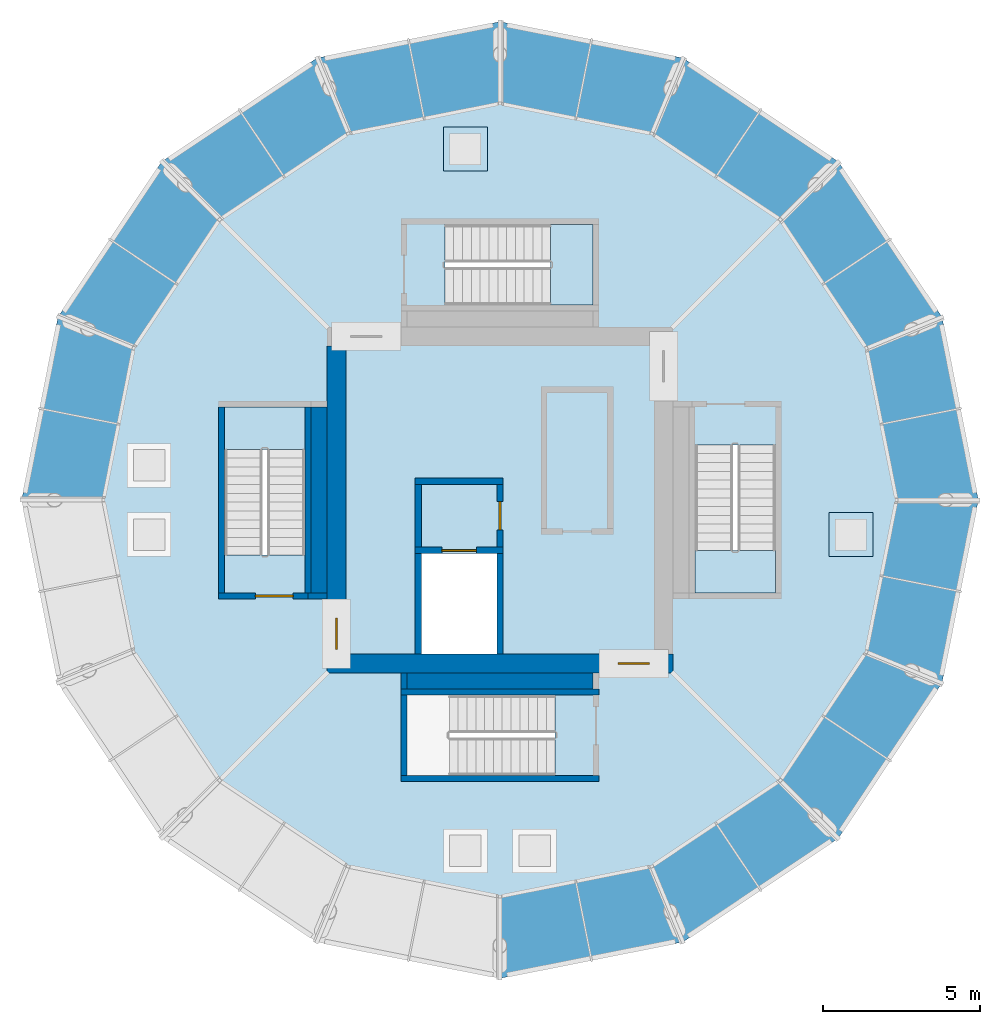
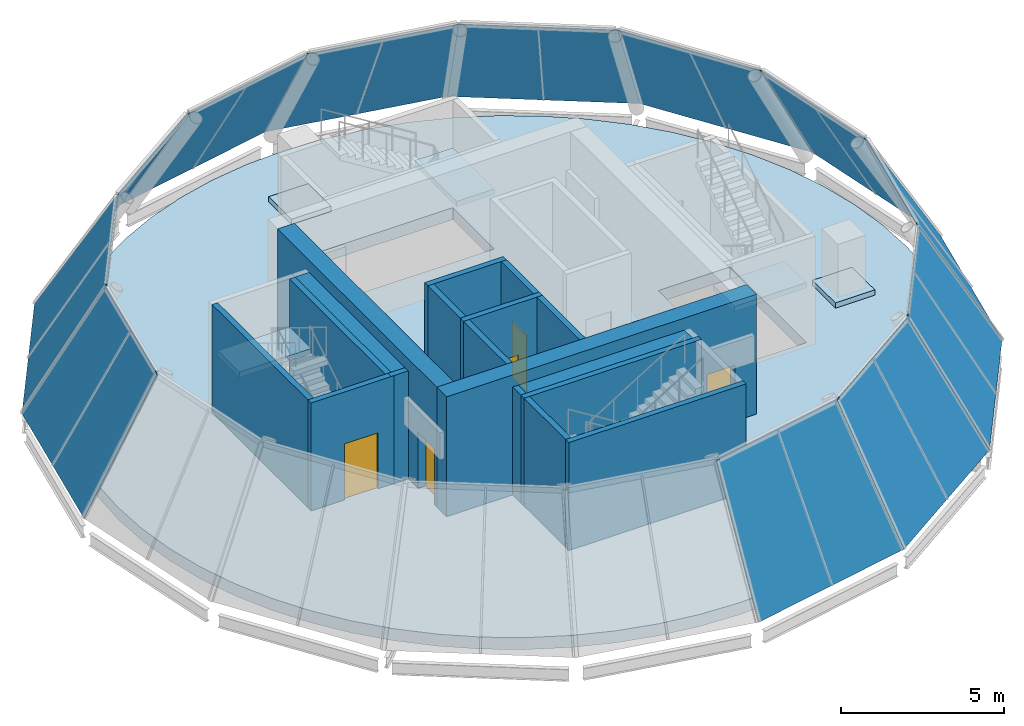
# One storey, part 3 of 6: 18 walls, 12 plates, 6 slabs, 5 doors, 5 openings, 15 elements without a shape of their own.
"""IFC4 building model written with IfcOpenShell, lengths in metres."""

from ifc_helpers import new_model, si_unit, direction, frame, frame_2d, origin, place, context, subcontext, project, spatial, polyline, rectangle, outline, extrude, material, layer, layer_set, type_object, element, fill, aggregate, save


model = new_model("IFC4")

# Units and contexts
model_context = context("Model", 3, precision=1e-05, world=origin(), true_north=direction((0.0, 1.0)))
body_context = subcontext(model_context, "Body", "Model", "MODEL_VIEW")
ifc_project = project(units=[si_unit("LENGTHUNIT", "METRE"), si_unit("AREAUNIT", "SQUARE_METRE"), si_unit("VOLUMEUNIT", "CUBIC_METRE"), si_unit("PLANEANGLEUNIT", "RADIAN"), si_unit("MASSUNIT", "GRAM", prefix="KILO")], contexts=[model_context])

# Site, building, storey
site_placement = place(None, origin())
site = spatial("IfcSite", under=ifc_project, at=site_placement, CompositionType="ELEMENT")
building_placement = place(site_placement, origin())
building = spatial("IfcBuilding", under=site, at=building_placement, Name="Corvane Civic Tower", CompositionType="ELEMENT")
storey_placement = place(building_placement, frame((0.0, 0.0, 397.5)))
storey = spatial("IfcBuildingStorey", under=building, at=storey_placement, Name="L94", CompositionType="ELEMENT", Elevation=397.5)

# Curtain wall, plate
ifc_material_1 = material(Name="Aluminium and glass", Category="aluminium")
curtain_wall_type = type_object("IfcCurtainWallType", Name="CROWN-CW-K-FACET", PredefinedType="NOTDEFINED", material=ifc_material_1)
curtain_wall_1_placement = place(storey_placement, origin())
curtain_wall_1 = element("IfcCurtainWall", 1, at=curtain_wall_1_placement, inside=storey, type_object=curtain_wall_type, Name="Glass cone facet 1 row 3", PredefinedType="NOTDEFINED")
ifc_material_2 = material(Name="Glass tinted low-e laminated", Category="glass")
ifc_layer_1 = layer(ifc_material_2, 0.030029296875)
ifc_layer_set_1 = layer_set([ifc_layer_1], Name="Glass tinted low-e laminated")
plate_type = type_object("IfcPlateType", Name="CROWN-CWK-PANEL-IGU30", PredefinedType="CURTAIN_PANEL", material=ifc_layer_set_1)
plate_1_placement = place(storey_placement, frame((0.0, 15.199951171875, 0.0), z_axis=(-0.169719839512, 0.853318533123, 0.492993567001), x_axis=(-0.980788453188, -0.195074370656, 2.671329e-06)))
plate_1 = element("IfcPlate", 2, at=plate_1_placement, type_object=plate_type, Name="Cone glass panel 1.3", PredefinedType="CURTAIN_PANEL", context=body_context, shape_type="SweptSolid", body=[
    extrude(outline(polyline([(0.0, 0.0), (5.930840607467134, -1.1102230246251565e-16), (5.423393625352729, 5.172201220847117), (0.507176809339323, 5.172234525400341), (0.0, 0.0)])), origin(), (0.0, 0.0, -1.0), 0.030029296875),
])
aggregate(curtain_wall_1, [plate_1])

curtain_wall_2_placement = place(storey_placement, origin())
curtain_wall_2 = element("IfcCurtainWall", 3, at=curtain_wall_2_placement, inside=storey, type_object=curtain_wall_type, Name="Glass cone facet 2 row 3", PredefinedType="NOTDEFINED")
plate_2_placement = place(storey_placement, frame((-5.81689453125, 14.04296875, 0.0), z_axis=(-0.483360823978, 0.72337677032, 0.493039919281), x_axis=(-0.831462623479, -0.555580692371, -4.648492e-06)))
plate_2 = element("IfcPlate", 4, at=plate_2_placement, type_object=plate_type, Name="Cone glass panel 2.3", PredefinedType="CURTAIN_PANEL", context=body_context, shape_type="SweptSolid", body=[
    extrude(outline(polyline([(0.0, 0.0), (5.930663841130947, -2.220446049250313e-16), (5.4234000461655265, 5.172403005972227), (0.5071364985191953, 5.172345050261106), (0.0, 0.0)])), origin(), (0.0, 0.0, -1.0), 0.030029296875),
])
aggregate(curtain_wall_2, [plate_2])

curtain_wall_3_placement = place(storey_placement, origin())
curtain_wall_3 = element("IfcCurtainWall", 5, at=curtain_wall_3_placement, inside=storey, type_object=curtain_wall_type, Name="Glass cone facet 3 row 3", PredefinedType="NOTDEFINED")
plate_3_placement = place(storey_placement, frame((-10.748046875, 10.748046875, 0.0), z_axis=(-0.72337677032, 0.483360823978, 0.493039919281), x_axis=(-0.555580692371, -0.831462623479, 4.648492e-06)))
plate_3 = element("IfcPlate", 6, at=plate_3_placement, type_object=plate_type, Name="Cone glass panel 3.3", PredefinedType="CURTAIN_PANEL", context=body_context, shape_type="SweptSolid", body=[
    extrude(outline(polyline([(0.0, 0.0), (5.930663841130947, 2.220446049250313e-16), (5.423527342611751, 5.172345050261106), (0.5072637949654196, 5.172403005972228), (0.0, 0.0)])), origin(), (0.0, 0.0, -1.0), 0.030029296875),
])
aggregate(curtain_wall_3, [plate_3])

curtain_wall_4_placement = place(storey_placement, origin())
curtain_wall_4 = element("IfcCurtainWall", 7, at=curtain_wall_4_placement, inside=storey, type_object=curtain_wall_type, Name="Glass cone facet 4 row 3", PredefinedType="NOTDEFINED")
plate_4_placement = place(storey_placement, frame((-14.04296875, 5.81689453125, 0.0), z_axis=(-0.853305048338, 0.169736739466, 0.493011088878), x_axis=(-0.195090759205, -0.980785193417, 6.797279e-06)))
plate_4 = element("IfcPlate", 8, at=plate_4_placement, type_object=plate_type, Name="Cone glass panel 4.3", PredefinedType="CURTAIN_PANEL", context=body_context, shape_type="SweptSolid", body=[
    extrude(outline(polyline([(0.0, 0.0), (5.930840606990508, -1.1102230246251565e-16), (5.423663798563678, 5.172234524943286), (0.5073993544943053, 5.1723192707517445), (0.0, 0.0)])), origin(), (0.0, 0.0, -1.0), 0.030029296875),
])
aggregate(curtain_wall_4, [plate_4])

curtain_wall_5_placement = place(storey_placement, origin())
curtain_wall_5 = element("IfcCurtainWall", 9, at=curtain_wall_5_placement, inside=storey, type_object=curtain_wall_type, Name="Glass cone facet 9 row 3", PredefinedType="NOTDEFINED")
plate_5_placement = place(storey_placement, frame((0.0, -15.199951171875, 0.0), z_axis=(0.169719839512, -0.853318533123, 0.492993567001), x_axis=(0.980788453188, 0.195074370656, 2.671329e-06)))
plate_5 = element("IfcPlate", 10, at=plate_5_placement, type_object=plate_type, Name="Cone glass panel 9.3", PredefinedType="CURTAIN_PANEL", context=body_context, shape_type="SweptSolid", body=[
    extrude(outline(polyline([(0.0, 0.0), (5.930840607467134, -1.1102230246251565e-16), (5.423393625352729, 5.172201220847117), (0.507176809339323, 5.172234525400341), (0.0, 0.0)])), origin(), (0.0, 0.0, -1.0), 0.030029296875),
])
aggregate(curtain_wall_5, [plate_5])

curtain_wall_6_placement = place(storey_placement, origin())
curtain_wall_6 = element("IfcCurtainWall", 11, at=curtain_wall_6_placement, inside=storey, type_object=curtain_wall_type, Name="Glass cone facet 10 row 3", PredefinedType="NOTDEFINED")
plate_6_placement = place(storey_placement, frame((5.81689453125, -14.04296875, 0.0), z_axis=(0.483360823978, -0.72337677032, 0.493039919281), x_axis=(0.831462623479, 0.555580692371, -4.648492e-06)))
plate_6 = element("IfcPlate", 12, at=plate_6_placement, type_object=plate_type, Name="Cone glass panel 10.3", PredefinedType="CURTAIN_PANEL", context=body_context, shape_type="SweptSolid", body=[
    extrude(outline(polyline([(0.0, 0.0), (5.930663841130947, -2.220446049250313e-16), (5.4234000461655265, 5.172403005972227), (0.5071364985191953, 5.172345050261106), (0.0, 0.0)])), origin(), (0.0, 0.0, -1.0), 0.030029296875),
])
aggregate(curtain_wall_6, [plate_6])

curtain_wall_7_placement = place(storey_placement, origin())
curtain_wall_7 = element("IfcCurtainWall", 13, at=curtain_wall_7_placement, inside=storey, type_object=curtain_wall_type, Name="Glass cone facet 11 row 3", PredefinedType="NOTDEFINED")
plate_7_placement = place(storey_placement, frame((10.748046875, -10.748046875, 0.0), z_axis=(0.72337677032, -0.483360823978, 0.493039919281), x_axis=(0.555580692371, 0.831462623479, 4.648492e-06)))
plate_7 = element("IfcPlate", 14, at=plate_7_placement, type_object=plate_type, Name="Cone glass panel 11.3", PredefinedType="CURTAIN_PANEL", context=body_context, shape_type="SweptSolid", body=[
    extrude(outline(polyline([(0.0, 0.0), (5.930663841130947, 2.220446049250313e-16), (5.423527342611751, 5.172345050261106), (0.5072637949654196, 5.172403005972228), (0.0, 0.0)])), origin(), (0.0, 0.0, -1.0), 0.030029296875),
])
aggregate(curtain_wall_7, [plate_7])

curtain_wall_8_placement = place(storey_placement, origin())
curtain_wall_8 = element("IfcCurtainWall", 15, at=curtain_wall_8_placement, inside=storey, type_object=curtain_wall_type, Name="Glass cone facet 12 row 3", PredefinedType="NOTDEFINED")
plate_8_placement = place(storey_placement, frame((14.04296875, -5.81689453125, 0.0), z_axis=(0.853305048338, -0.169736739466, 0.493011088878), x_axis=(0.195090759205, 0.980785193417, 6.797279e-06)))
plate_8 = element("IfcPlate", 16, at=plate_8_placement, type_object=plate_type, Name="Cone glass panel 12.3", PredefinedType="CURTAIN_PANEL", context=body_context, shape_type="SweptSolid", body=[
    extrude(outline(polyline([(0.0, 0.0), (5.930840606990508, -1.1102230246251565e-16), (5.423663798563678, 5.172234524943286), (0.5073993544943053, 5.1723192707517445), (0.0, 0.0)])), origin(), (0.0, 0.0, -1.0), 0.030029296875),
])
aggregate(curtain_wall_8, [plate_8])

curtain_wall_9_placement = place(storey_placement, origin())
curtain_wall_9 = element("IfcCurtainWall", 17, at=curtain_wall_9_placement, inside=storey, type_object=curtain_wall_type, Name="Glass cone facet 13 row 3", PredefinedType="NOTDEFINED")
plate_9_placement = place(storey_placement, frame((15.199951171875, 0.0, 0.0), z_axis=(0.853318533123, 0.169719839512, 0.492993567001), x_axis=(-0.195074370656, 0.980788453188, 2.671329e-06)))
plate_9 = element("IfcPlate", 18, at=plate_9_placement, type_object=plate_type, Name="Cone glass panel 13.3", PredefinedType="CURTAIN_PANEL", context=body_context, shape_type="SweptSolid", body=[
    extrude(outline(polyline([(0.0, 0.0), (5.930840607467134, -1.1102230246251565e-16), (5.423393625352729, 5.172201220847117), (0.507176809339323, 5.172234525400341), (0.0, 0.0)])), origin(), (0.0, 0.0, -1.0), 0.030029296875),
])
aggregate(curtain_wall_9, [plate_9])

curtain_wall_10_placement = place(storey_placement, origin())
curtain_wall_10 = element("IfcCurtainWall", 19, at=curtain_wall_10_placement, inside=storey, type_object=curtain_wall_type, Name="Glass cone facet 14 row 3", PredefinedType="NOTDEFINED")
plate_10_placement = place(storey_placement, frame((14.04296875, 5.81689453125, 0.0), z_axis=(0.72337677032, 0.483360823978, 0.493039919281), x_axis=(-0.555580692371, 0.831462623479, -4.648492e-06)))
plate_10 = element("IfcPlate", 20, at=plate_10_placement, type_object=plate_type, Name="Cone glass panel 14.3", PredefinedType="CURTAIN_PANEL", context=body_context, shape_type="SweptSolid", body=[
    extrude(outline(polyline([(0.0, 0.0), (5.930663841130947, -2.220446049250313e-16), (5.4234000461655265, 5.172403005972227), (0.5071364985191953, 5.172345050261106), (0.0, 0.0)])), origin(), (0.0, 0.0, -1.0), 0.030029296875),
])
aggregate(curtain_wall_10, [plate_10])

curtain_wall_11_placement = place(storey_placement, origin())
curtain_wall_11 = element("IfcCurtainWall", 21, at=curtain_wall_11_placement, inside=storey, type_object=curtain_wall_type, Name="Glass cone facet 15 row 3", PredefinedType="NOTDEFINED")
plate_11_placement = place(storey_placement, frame((10.748046875, 10.748046875, 0.0), z_axis=(0.483360823978, 0.72337677032, 0.493039919281), x_axis=(-0.831462623479, 0.555580692371, 4.648492e-06)))
plate_11 = element("IfcPlate", 22, at=plate_11_placement, type_object=plate_type, Name="Cone glass panel 15.3", PredefinedType="CURTAIN_PANEL", context=body_context, shape_type="SweptSolid", body=[
    extrude(outline(polyline([(0.0, 0.0), (5.930663841130947, 2.220446049250313e-16), (5.423527342611751, 5.172345050261106), (0.5072637949654196, 5.172403005972228), (0.0, 0.0)])), origin(), (0.0, 0.0, -1.0), 0.030029296875),
])
aggregate(curtain_wall_11, [plate_11])

curtain_wall_12_placement = place(storey_placement, origin())
curtain_wall_12 = element("IfcCurtainWall", 23, at=curtain_wall_12_placement, inside=storey, type_object=curtain_wall_type, Name="Glass cone facet 16 row 3", PredefinedType="NOTDEFINED")
plate_12_placement = place(storey_placement, frame((5.81689453125, 14.04296875, 0.0), z_axis=(0.169736739466, 0.853305048338, 0.493011088878), x_axis=(-0.980785193417, 0.195090759205, 6.797279e-06)))
plate_12 = element("IfcPlate", 24, at=plate_12_placement, type_object=plate_type, Name="Cone glass panel 16.3", PredefinedType="CURTAIN_PANEL", context=body_context, shape_type="SweptSolid", body=[
    extrude(outline(polyline([(0.0, 0.0), (5.930840606990508, -1.1102230246251565e-16), (5.423663798563678, 5.172234524943286), (0.5073993544943053, 5.1723192707517445), (0.0, 0.0)])), origin(), (0.0, 0.0, -1.0), 0.030029296875),
])
aggregate(curtain_wall_12, [plate_12])

# Slabs
ifc_material_3 = material(Name="Concrete C30/37", Category="concrete")
ifc_layer_2 = layer(ifc_material_3, 0.199951171875)
ifc_layer_set_2 = layer_set([ifc_layer_2], Name="Concrete C30/37")
slab_type_1 = type_object("IfcSlabType", Name="CROWN-SL-PLINTH-200", PredefinedType="USERDEFINED", material=ifc_layer_set_2)
slab_1_placement = place(storey_placement, origin())
element("IfcSlab", 25, at=slab_1_placement, inside=storey, type_object=slab_type_1, Name="Air handler plinth L94-01", ObjectType="PLINTH", PredefinedType="USERDEFINED", context=body_context, shape_type="SweptSolid", body=[
    extrude(outline(polyline([(-0.39794921875, 10.446044921875), (-0.39794921875, 11.845947265625), (-1.798095703125, 11.845947265625), (-1.798095703125, 10.446044921875), (-0.39794921875, 10.446044921875)])), origin(), (0.0, 0.0, 1.0), 0.199951171875),
])
slab_2_placement = place(storey_placement, origin())
element("IfcSlab", 26, at=slab_2_placement, inside=storey, type_object=slab_type_1, Name="Water tank plinth L94-06", ObjectType="PLINTH", PredefinedType="USERDEFINED", context=body_context, shape_type="SweptSolid", body=[
    extrude(outline(polyline([(11.845947265625, -1.798095703125), (11.845947265625, -0.39794921875), (10.446044921875, -0.39794921875), (10.446044921875, -1.798095703125), (11.845947265625, -1.798095703125)])), origin(), (0.0, 0.0, 1.0), 0.199951171875),
])

# Stair, slab
ifc_material_4 = material(Name="Concrete C40/50", Category="concrete")
stair_type = type_object("IfcStairType", Name="ST-STAIR-HALFTURN", PredefinedType="HALF_TURN_STAIR", material=ifc_material_4)
stair_1_placement = place(storey_placement, origin())
stair_1 = element("IfcStair", 27, at=stair_1_placement, inside=storey, type_object=stair_type, Name="L94 Crown stair CS1", PredefinedType="HALF_TURN_STAIR")
ifc_material_5 = material(Name="Concrete C40/50", Category="concrete")
ifc_layer_3 = layer(ifc_material_5, 0.199951171875)
ifc_layer_set_3 = layer_set([ifc_layer_3], Name="Concrete C40/50")
slab_type_2 = type_object("IfcSlabType", Name="ST-LANDING-RC", PredefinedType="LANDING", material=ifc_layer_set_3)
slab_3_placement = place(storey_placement, frame((0.0, 0.0, 2.050048828125)))
slab_3 = element("IfcSlab", 28, at=slab_3_placement, type_object=slab_type_2, Name="CS1 landing 1", PredefinedType="LANDING", context=body_context, shape_type="SweptSolid", body=[
    extrude(outline(polyline([(6.199951171875, -1.610107421875), (6.199951171875, -2.949951171875), (8.75, -2.949951171875), (8.75, -1.610107421875), (6.199951171875, -1.610107421875)])), origin(), (0.0, 0.0, 1.0), 0.199951171875),
])
aggregate(stair_1, [slab_3])

stair_2_placement = place(storey_placement, origin())
stair_2 = element("IfcStair", 29, at=stair_2_placement, inside=storey, type_object=stair_type, Name="L94 Crown stair CS2", PredefinedType="HALF_TURN_STAIR")
slab_4_placement = place(storey_placement, frame((0.0, 0.0, 2.050048828125)))
slab_4 = element("IfcSlab", 30, at=slab_4_placement, type_object=slab_type_2, Name="CS2 landing 1", PredefinedType="LANDING", context=body_context, shape_type="SweptSolid", body=[
    extrude(outline(polyline([(1.610107421875, 6.199951171875), (2.949951171875, 6.199951171875), (2.949951171875, 8.75), (1.610107421875, 8.75), (1.610107421875, 6.199951171875)])), origin(), (0.0, 0.0, 1.0), 0.199951171875),
])
aggregate(stair_2, [slab_4])

stair_3_placement = place(storey_placement, origin())
stair_3 = element("IfcStair", 31, at=stair_3_placement, inside=storey, type_object=stair_type, Name="L94 Crown stair CS3", PredefinedType="HALF_TURN_STAIR")
slab_5_placement = place(storey_placement, frame((0.0, 0.0, 2.050048828125)))
slab_5 = element("IfcSlab", 32, at=slab_5_placement, type_object=slab_type_2, Name="CS3 landing 1", PredefinedType="LANDING", context=body_context, shape_type="SweptSolid", body=[
    extrude(outline(polyline([(-6.199951171875, 1.610107421875), (-6.199951171875, 2.949951171875), (-8.75, 2.949951171875), (-8.75, 1.610107421875), (-6.199951171875, 1.610107421875)])), origin(), (0.0, 0.0, 1.0), 0.199951171875),
])
aggregate(stair_3, [slab_5])

# Slab
ifc_material_6 = material(Name="Concrete C50/60", Category="concrete")
ifc_layer_4 = layer(ifc_material_6, 0.449951171875)
ifc_layer_set_4 = layer_set([ifc_layer_4], Name="Concrete C50/60")
slab_type_3 = type_object("IfcSlabType", Name="TRANSFER FLOOR SLAB 450", PredefinedType="FLOOR", material=ifc_layer_set_4)
slab_6_placement = place(storey_placement, frame((0.0, 0.0, -0.449951171875)))
element("IfcSlab", 33, at=slab_6_placement, inside=storey, type_object=slab_type_3, Name="SLB-L94", PredefinedType="FLOOR", context=body_context, shape_type="SweptSolid", body=[
    extrude(outline(polyline([(0.0, 14.0), (-1.372314453125, 13.9326171875), (-2.731201171875, 13.73095703125), (-4.06396484375, 13.397216796875), (-5.357666015625, 12.934326171875), (-6.599609375, 12.346923828125), (-7.778076171875, 11.640625), (-8.881591796875, 10.822265625), (-9.8994140625, 9.8994140625), (-10.822265625, 8.881591796875), (-11.640625, 7.778076171875), (-12.346923828125, 6.599609375), (-12.934326171875, 5.357666015625), (-13.397216796875, 4.06396484375), (-13.73095703125, 2.731201171875), (-13.9326171875, 1.372314453125), (-14.0, 0.0), (-13.9326171875, -1.372314453125), (-13.73095703125, -2.731201171875), (-13.397216796875, -4.06396484375), (-12.934326171875, -5.357666015625), (-12.346923828125, -6.599609375), (-11.640625, -7.778076171875), (-10.822265625, -8.881591796875), (-9.8994140625, -9.8994140625), (-8.881591796875, -10.822265625), (-7.778076171875, -11.640625), (-6.599609375, -12.346923828125), (-5.357666015625, -12.934326171875), (-4.06396484375, -13.397216796875), (-2.731201171875, -13.73095703125), (-1.372314453125, -13.9326171875), (0.0, -14.0), (1.372314453125, -13.9326171875), (2.731201171875, -13.73095703125), (4.06396484375, -13.397216796875), (5.357666015625, -12.934326171875), (6.599609375, -12.346923828125), (7.778076171875, -11.640625), (8.881591796875, -10.822265625), (9.8994140625, -9.8994140625), (10.822265625, -8.881591796875), (11.640625, -7.778076171875), (12.346923828125, -6.599609375), (12.934326171875, -5.357666015625), (13.397216796875, -4.06396484375), (13.73095703125, -2.731201171875), (13.9326171875, -1.372314453125), (14.0, 0.0), (13.9326171875, 1.372314453125), (13.73095703125, 2.731201171875), (13.397216796875, 4.06396484375), (12.934326171875, 5.357666015625), (12.346923828125, 6.599609375), (11.640625, 7.778076171875), (10.822265625, 8.881591796875), (9.8994140625, 9.8994140625), (8.881591796875, 10.822265625), (7.778076171875, 11.640625), (6.599609375, 12.346923828125), (5.357666015625, 12.934326171875), (4.06396484375, 13.397216796875), (2.731201171875, 13.73095703125), (1.372314453125, 13.9326171875), (0.0, 14.0)]), holes=[polyline([(-2.5, -4.89990234375), (-2.5, -1.699951171875), (-0.10009765625, -1.699951171875), (-0.10009765625, -4.89990234375), (-2.5, -4.89990234375)]), polyline([(6.199951171875, 1.739990234375), (8.75, 1.739990234375), (8.75, -2.949951171875), (6.199951171875, -2.949951171875), (6.199951171875, 1.739990234375)]), polyline([(-1.739990234375, 6.199951171875), (-1.739990234375, 8.75), (2.949951171875, 8.75), (2.949951171875, 6.199951171875), (-1.739990234375, 6.199951171875)]), polyline([(-6.199951171875, -1.739990234375), (-8.75, -1.739990234375), (-8.75, 2.949951171875), (-6.199951171875, 2.949951171875), (-6.199951171875, -1.739990234375)]), polyline([(1.739990234375, -6.199951171875), (1.739990234375, -8.75), (-2.949951171875, -8.75), (-2.949951171875, -6.199951171875), (1.739990234375, -6.199951171875)])]), origin(), (0.0, 0.0, 1.0), 0.449951171875),
])

# Wall, opening, door
ifc_material_7 = material(Name="Concrete C40/50", Category="concrete")
ifc_layer_5 = layer(ifc_material_7, 0.60009765625)
ifc_layer_set_5 = layer_set([ifc_layer_5], Name="Concrete C40/50")
wall_type_1 = type_object("IfcWallType", Name="CORE WALL 600 C40/50", PredefinedType="SHEAR", material=ifc_layer_set_5)
wall_1_placement = place(storey_placement, frame((-5.5, -5.199951171875, 0.0), z_axis=(0.0, 0.0, 1.0), x_axis=(1.0, 0.0, 0.0)))
wall_1 = element("IfcWall", 34, at=wall_1_placement, inside=storey, type_object=wall_type_1, Name="W-L94-core-S", PredefinedType="SHEAR", context=body_context, shape_type="SweptSolid", body=[
    extrude(rectangle(XDim=11.0, YDim=0.60009765625, at=frame_2d((5.5, 0.0))), origin(), (0.0, 0.0, 1.0), 4.5),
])
opening_1_placement = place(wall_1_placement, frame((9.25, 0.0, 0.0)))
opening_1 = element("IfcOpeningElement", 35, at=opening_1_placement, cuts=wall_1, Name="Opening L94.C10", PredefinedType="OPENING", context=body_context, shape_type="SweptSolid", body=[
    extrude(rectangle(XDim=1.0, YDim=2.10009765625, at=frame_2d((0.5, 1.050048828125))), frame((0.0, 0.31005859375, 0.0), z_axis=(0.0, -1.0, 0.0), x_axis=(1.0, 0.0, 0.0)), (0.0, 0.0, 1.0), 0.6201171875),
])
ifc_material_8 = material(Name="Steel fire door leaf", Category="steel")
door_type_1 = type_object("IfcDoorType", Name="CR-DOOR-CORE-1800", OperationType="DOUBLE_DOOR_SINGLE_SWING", PredefinedType="DOOR", material=ifc_material_8)
door_1_placement = place(opening_1_placement, origin())
door_1 = element("IfcDoor", 36, at=door_1_placement, inside=storey, type_object=door_type_1, Name="L94 door", OperationType="DOUBLE_DOOR_SINGLE_SWING", OverallHeight=2.10009765625, OverallWidth=1.0, PredefinedType="DOOR", context=body_context, shape_type="SweptSolid", body=[
    extrude(rectangle(XDim=1.0, YDim=2.10009765625, at=frame_2d((0.5, 1.050048828125))), frame((0.0, 0.02490234375, 0.0), z_axis=(0.0, -1.0, 0.0), x_axis=(1.0, 0.0, 0.0)), (0.0, 0.0, 1.0), 0.050048828125),
])
fill(opening_1, door_1)

wall_2_placement = place(storey_placement, frame((-5.199951171875, -4.89990234375, 0.0), z_axis=(0.0, 0.0, 1.0), x_axis=(0.0, 1.0, 0.0)))
wall_2 = element("IfcWall", 37, at=wall_2_placement, inside=storey, type_object=wall_type_1, Name="W-L94-core-W", PredefinedType="SHEAR", context=body_context, shape_type="SweptSolid", body=[
    extrude(rectangle(XDim=9.7998046875, YDim=0.60009765625, at=frame_2d((4.89990234375, 0.0))), origin(), (0.0, 0.0, 1.0), 4.5),
])
opening_2_placement = place(wall_2_placement, frame((0.14990234375, 0.0, 0.0)))
opening_2 = element("IfcOpeningElement", 38, at=opening_2_placement, cuts=wall_2, Name="Opening L94.C09", PredefinedType="OPENING", context=body_context, shape_type="SweptSolid", body=[
    extrude(rectangle(XDim=1.0, YDim=2.10009765625, at=frame_2d((0.5, 1.050048828125))), frame((0.0, 0.31005859375, 0.0), z_axis=(0.0, -1.0, 0.0), x_axis=(1.0, 0.0, 0.0)), (0.0, 0.0, 1.0), 0.6201171875),
])
door_2_placement = place(opening_2_placement, origin())
door_2 = element("IfcDoor", 39, at=door_2_placement, inside=storey, type_object=door_type_1, Name="L94 door", OperationType="DOUBLE_DOOR_SINGLE_SWING", OverallHeight=2.10009765625, OverallWidth=1.0, PredefinedType="DOOR", context=body_context, shape_type="SweptSolid", body=[
    extrude(rectangle(XDim=1.0, YDim=2.10009765625, at=frame_2d((0.5, 1.050048828125))), frame((0.0, 0.02490234375, 0.0), z_axis=(0.0, -1.0, 0.0), x_axis=(1.0, 0.0, 0.0)), (0.0, 0.0, 1.0), 0.050048828125),
])
fill(opening_2, door_2)

ifc_material_9 = material(Name="Concrete C30/37", Category="concrete")
ifc_layer_6 = layer(ifc_material_9, 0.199951171875)
ifc_layer_set_6 = layer_set([ifc_layer_6], Name="Concrete C30/37")
wall_type_2 = type_object("IfcWallType", Name="CR-WALL-200", PredefinedType="PARTITIONING", material=ifc_layer_set_6)
wall_3_placement = place(storey_placement, frame((-2.699951171875, -1.60009765625, 0.0), z_axis=(0.0, 0.0, 1.0), x_axis=(1.0, 0.0, 0.0)))
wall_3 = element("IfcWall", 40, at=wall_3_placement, inside=storey, type_object=wall_type_2, Name="L94 lift shaft wall", PredefinedType="PARTITIONING", context=body_context, shape_type="SweptSolid", body=[
    extrude(rectangle(XDim=2.800048828125, YDim=0.199951171875, at=frame_2d((1.39990234375, 0.0))), origin(), (0.0, 0.0, 1.0), 4.050048828125),
])
opening_3_placement = place(wall_3_placement, frame((0.85009765625, 0.0, 0.0)))
opening_3 = element("IfcOpeningElement", 41, at=opening_3_placement, cuts=wall_3, Name="Opening LD", PredefinedType="OPENING", context=body_context, shape_type="SweptSolid", body=[
    extrude(rectangle(XDim=1.10009765625, YDim=2.10009765625, at=frame_2d((0.550048828125, 1.050048828125))), frame((0.0, 0.10986328125, 0.0), z_axis=(0.0, -1.0, 0.0), x_axis=(1.0, 0.0, 0.0)), (0.0, 0.0, 1.0), 0.219970703125),
])
ifc_material_10 = material(Name="Stainless steel 316 door leaves", Category="steel")
door_type_2 = type_object("IfcDoorType", Name="LD", OperationType="DOUBLE_DOOR_SLIDING", PredefinedType="DOOR", material=ifc_material_10)
door_3_placement = place(opening_3_placement, origin())
door_3 = element("IfcDoor", 42, at=door_3_placement, inside=storey, type_object=door_type_2, Name="L94 landing door", OperationType="DOUBLE_DOOR_SLIDING", OverallHeight=2.10009765625, OverallWidth=1.10009765625, PredefinedType="DOOR", context=body_context, shape_type="SweptSolid", body=[
    extrude(rectangle(XDim=1.10009765625, YDim=2.10009765625, at=frame_2d((0.550048828125, 1.050048828125))), frame((0.0, 0.02490234375, 0.0), z_axis=(0.0, -1.0, 0.0), x_axis=(1.0, 0.0, 0.0)), (0.0, 0.0, 1.0), 0.050048828125),
])
fill(opening_3, door_3)

wall_4_placement = place(storey_placement, frame((0.0, -1.5, 0.0), z_axis=(0.0, 0.0, 1.0), x_axis=(0.0, 1.0, 0.0)))
wall_4 = element("IfcWall", 43, at=wall_4_placement, inside=storey, type_object=wall_type_2, Name="L94 core partition wall", PredefinedType="PARTITIONING", context=body_context, shape_type="SweptSolid", body=[
    extrude(rectangle(XDim=2.0, YDim=0.199951171875, at=frame_2d((1.0, 0.0))), origin(), (0.0, 0.0, 1.0), 4.050048828125),
])
opening_4_placement = place(wall_4_placement, frame((0.550048828125, 0.0, 0.0)))
opening_4 = element("IfcOpeningElement", 44, at=opening_4_placement, cuts=wall_4, Name="Opening L94.C01", PredefinedType="OPENING", context=body_context, shape_type="SweptSolid", body=[
    extrude(rectangle(XDim=0.89990234375, YDim=2.10009765625, at=frame_2d((0.449951171875, 1.050048828125))), frame((0.0, 0.10986328125, 0.0), z_axis=(0.0, -1.0, 0.0), x_axis=(1.0, 0.0, 0.0)), (0.0, 0.0, 1.0), 0.219970703125),
])
ifc_material_11 = material(Name="Steel fire door leaf", Category="steel")
door_type_3 = type_object("IfcDoorType", Name="CR-DOOR-900", OperationType="SINGLE_SWING_LEFT", PredefinedType="DOOR", material=ifc_material_11)
door_4_placement = place(opening_4_placement, origin())
door_4 = element("IfcDoor", 45, at=door_4_placement, inside=storey, type_object=door_type_3, Name="L94 door", OperationType="SINGLE_SWING_LEFT", OverallHeight=2.10009765625, OverallWidth=0.89990234375, PredefinedType="DOOR", context=body_context, shape_type="SweptSolid", body=[
    extrude(rectangle(XDim=0.89990234375, YDim=2.10009765625, at=frame_2d((0.449951171875, 1.050048828125))), frame((0.0, 0.02490234375, 0.0), z_axis=(0.0, -1.0, 0.0), x_axis=(1.0, 0.0, 0.0)), (0.0, 0.0, 1.0), 0.050048828125),
])
fill(opening_4, door_4)

# Walls
wall_5_placement = place(storey_placement, origin())
element("IfcWall", 46, at=wall_5_placement, inside=storey, type_object=wall_type_2, Name="L94 core partition wall", PredefinedType="PARTITIONING", context=body_context, shape_type="SweptSolid", body=[
    extrude(outline(polyline([(0.10009765625, 0.699951171875), (0.10009765625, 0.5), (-2.699951171875, 0.5), (-2.699951171875, 0.699951171875), (0.10009765625, 0.699951171875)])), origin(), (0.0, 0.0, 1.0), 4.050048828125),
])
wall_6_placement = place(storey_placement, origin())
element("IfcWall", 47, at=wall_6_placement, inside=storey, type_object=wall_type_2, Name="L94 core partition wall", PredefinedType="PARTITIONING", context=body_context, shape_type="SweptSolid", body=[
    extrude(outline(polyline([(-2.5, -1.5), (-2.699951171875, -1.5), (-2.699951171875, 0.5), (-2.5, 0.5), (-2.5, -1.5)])), origin(), (0.0, 0.0, 1.0), 4.050048828125),
])
wall_7_placement = place(storey_placement, origin())
element("IfcWall", 48, at=wall_7_placement, inside=storey, type_object=wall_type_2, Name="L94 core partition wall", PredefinedType="PARTITIONING", context=body_context, shape_type="SweptSolid", body=[
    extrude(outline(polyline([(-2.5, -4.89990234375), (-2.699951171875, -4.89990234375), (-2.699951171875, -1.699951171875), (-2.5, -1.699951171875), (-2.5, -4.89990234375)])), origin(), (0.0, 0.0, 1.0), 4.050048828125),
])
wall_8_placement = place(storey_placement, origin())
element("IfcWall", 49, at=wall_8_placement, inside=storey, type_object=wall_type_2, Name="L94 core partition wall", PredefinedType="PARTITIONING", context=body_context, shape_type="SweptSolid", body=[
    extrude(outline(polyline([(-0.10009765625, -4.89990234375), (-0.10009765625, -1.699951171875), (0.10009765625, -1.699951171875), (0.10009765625, -4.89990234375), (-0.10009765625, -4.89990234375)])), origin(), (0.0, 0.0, 1.0), 4.050048828125),
])

# Wall, opening, door
ifc_material_12 = material(Name="Concrete C50/60", Category="concrete")
ifc_layer_7 = layer(ifc_material_12, 0.199951171875)
ifc_layer_set_7 = layer_set([ifc_layer_7], Name="Concrete C50/60")
wall_type_3 = type_object("IfcWallType", Name="ST-WALL-200", PredefinedType="SHEAR", material=ifc_layer_set_7)
wall_9_placement = place(storey_placement, frame((-8.949951171875, -3.050048828125, 0.0), z_axis=(0.0, 0.0, 1.0), x_axis=(1.0, 0.0, 0.0)))
wall_9 = element("IfcWall", 50, at=wall_9_placement, inside=storey, type_object=wall_type_3, Name="L94 stair enclosure wall", PredefinedType="SHEAR", context=body_context, shape_type="SweptSolid", body=[
    extrude(rectangle(XDim=2.949951171875, YDim=0.199951171875, at=frame_2d((1.47509765625, 0.0))), origin(), (0.0, 0.0, 1.0), 4.050048828125),
])
opening_5_placement = place(wall_9_placement, frame((1.175048828125, 0.0, 0.0)))
opening_5 = element("IfcOpeningElement", 51, at=opening_5_placement, cuts=wall_9, Name="Opening L94.C05", PredefinedType="OPENING", context=body_context, shape_type="SweptSolid", body=[
    extrude(rectangle(XDim=1.199951171875, YDim=2.10009765625, at=frame_2d((0.60009765625, 1.050048828125))), frame((0.0, 0.10986328125, 0.0), z_axis=(0.0, -1.0, 0.0), x_axis=(1.0, 0.0, 0.0)), (0.0, 0.0, 1.0), 0.219970703125),
])
ifc_material_13 = material(Name="Steel fire door leaf", Category="steel")
door_type_4 = type_object("IfcDoorType", Name="ST-DOOR-1200", OperationType="SINGLE_SWING_RIGHT", PredefinedType="DOOR", material=ifc_material_13)
door_5_placement = place(opening_5_placement, origin())
door_5 = element("IfcDoor", 52, at=door_5_placement, inside=storey, type_object=door_type_4, Name="L94 stair door", OperationType="SINGLE_SWING_RIGHT", OverallHeight=2.10009765625, OverallWidth=1.199951171875, PredefinedType="DOOR", context=body_context, shape_type="SweptSolid", body=[
    extrude(rectangle(XDim=1.199951171875, YDim=2.10009765625, at=frame_2d((0.60009765625, 1.050048828125))), frame((0.0, 0.02490234375, 0.0), z_axis=(0.0, -1.0, 0.0), x_axis=(1.0, 0.0, 0.0)), (0.0, 0.0, 1.0), 0.050048828125),
])
fill(opening_5, door_5)

# Walls
wall_10_placement = place(storey_placement, origin())
element("IfcWall", 53, at=wall_10_placement, inside=storey, type_object=wall_type_3, Name="L94 stair enclosure wall", PredefinedType="SHEAR", context=body_context, shape_type="SweptSolid", body=[
    extrude(outline(polyline([(-5.5, -2.949951171875), (-5.5, 2.949951171875), (-6.0, 2.949951171875), (-6.0, -2.949951171875), (-5.5, -2.949951171875)])), origin(), (0.0, 0.0, 1.0), 4.050048828125),
])
wall_11_placement = place(storey_placement, origin())
element("IfcWall", 54, at=wall_11_placement, inside=storey, type_object=wall_type_3, Name="L94 stair enclosure wall", PredefinedType="SHEAR", context=body_context, shape_type="SweptSolid", body=[
    extrude(outline(polyline([(2.949951171875, -6.0), (2.949951171875, -5.5), (-2.949951171875, -5.5), (-2.949951171875, -6.0), (2.949951171875, -6.0)])), origin(), (0.0, 0.0, 1.0), 4.050048828125),
])
wall_12_placement = place(storey_placement, origin())
element("IfcWall", 55, at=wall_12_placement, inside=storey, type_object=wall_type_3, Name="L94 stair enclosure wall", PredefinedType="SHEAR", context=body_context, shape_type="SweptSolid", body=[
    extrude(outline(polyline([(3.14990234375, -8.75), (3.14990234375, -8.949951171875), (-3.14990234375, -8.949951171875), (-3.14990234375, -8.75), (3.14990234375, -8.75)])), origin(), (0.0, 0.0, 1.0), 4.050048828125),
])
wall_13_placement = place(storey_placement, origin())
element("IfcWall", 56, at=wall_13_placement, inside=storey, type_object=wall_type_3, Name="L94 stair enclosure wall", PredefinedType="SHEAR", context=body_context, shape_type="SweptSolid", body=[
    extrude(outline(polyline([(3.14990234375, -6.199951171875), (-3.14990234375, -6.199951171875), (-3.14990234375, -6.0), (3.14990234375, -6.0), (3.14990234375, -6.199951171875)])), origin(), (0.0, 0.0, 1.0), 4.050048828125),
])
wall_14_placement = place(storey_placement, origin())
element("IfcWall", 57, at=wall_14_placement, inside=storey, type_object=wall_type_3, Name="L94 stair enclosure wall", PredefinedType="SHEAR", context=body_context, shape_type="SweptSolid", body=[
    extrude(outline(polyline([(-8.75, 2.949951171875), (-8.75, -2.949951171875), (-8.949951171875, -2.949951171875), (-8.949951171875, 2.949951171875), (-8.75, 2.949951171875)])), origin(), (0.0, 0.0, 1.0), 4.050048828125),
])
wall_15_placement = place(storey_placement, origin())
element("IfcWall", 58, at=wall_15_placement, inside=storey, type_object=wall_type_3, Name="L94 stair enclosure wall", PredefinedType="SHEAR", context=body_context, shape_type="SweptSolid", body=[
    extrude(outline(polyline([(-6.0, 2.949951171875), (-6.0, -2.949951171875), (-6.199951171875, -2.949951171875), (-6.199951171875, 2.949951171875), (-6.0, 2.949951171875)])), origin(), (0.0, 0.0, 1.0), 4.050048828125),
])
wall_16_placement = place(storey_placement, origin())
element("IfcWall", 59, at=wall_16_placement, inside=storey, type_object=wall_type_3, Name="L94 stair enclosure wall", PredefinedType="SHEAR", context=body_context, shape_type="SweptSolid", body=[
    extrude(outline(polyline([(-2.949951171875, -8.75), (-3.14990234375, -8.75), (-3.14990234375, -6.2001953125), (-2.949951171875, -6.2001953125), (-2.949951171875, -8.75)])), origin(), (0.0, 0.0, 1.0), 4.050048828125),
])
wall_17_placement = place(storey_placement, origin())
element("IfcWall", 60, at=wall_17_placement, inside=storey, type_object=wall_type_3, Name="L94 stair enclosure wall", PredefinedType="SHEAR", context=body_context, shape_type="SweptSolid", body=[
    extrude(outline(polyline([(-5.5, -3.14990234375), (-6.10009765625, -3.14990234375), (-6.10009765625, -2.9501953125), (-5.5, -2.949951171875), (-5.5, -3.14990234375)])), origin(), (0.0, 0.0, 1.0), 4.050048828125),
])
wall_18_placement = place(storey_placement, origin())
element("IfcWall", 61, at=wall_18_placement, inside=storey, type_object=wall_type_3, Name="L94 stair enclosure wall", PredefinedType="SHEAR", context=body_context, shape_type="SweptSolid", body=[
    extrude(outline(polyline([(-2.949951171875, -5.5), (-2.949951171875, -6.0), (-3.14990234375, -6.0), (-3.14990234375, -5.5), (-2.949951171875, -5.5)])), origin(), (0.0, 0.0, 1.0), 4.050048828125),
])

save(model, "model.ifc")
